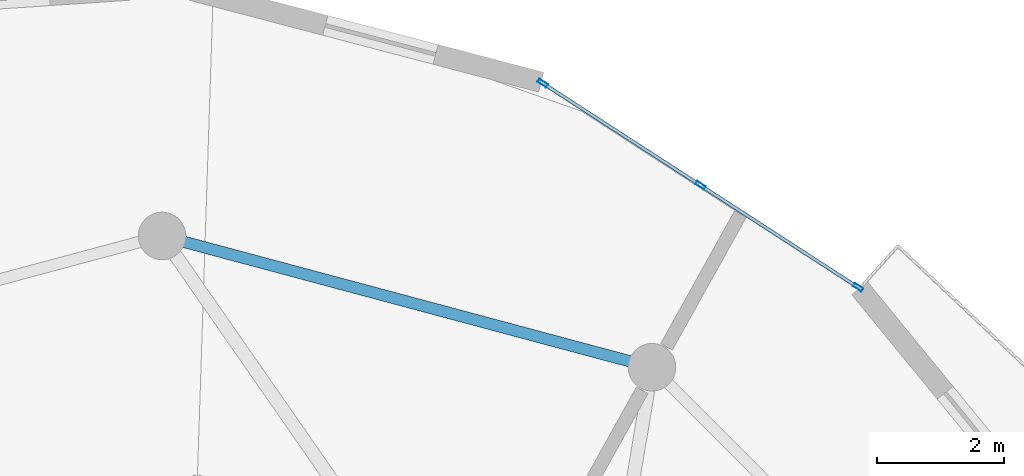
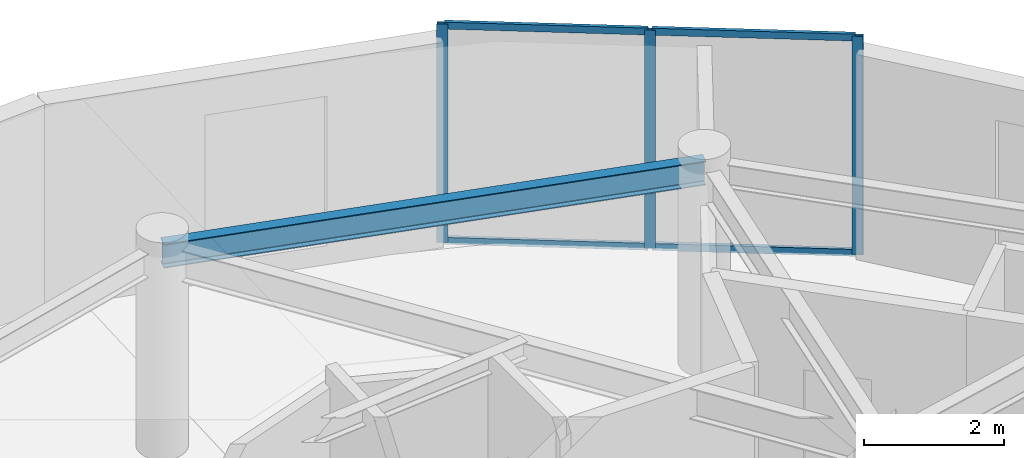
# One storey, part 15 of 22: 7 members, 1 beam, 1 element without a shape of its own.
"""IFC4 building model written with IfcOpenShell, lengths in metres."""

from ifc_helpers import new_model, si_unit, direction, frame, origin, origin_2d, place, context, subcontext, project, spatial, hollow_rectangle, i_section, extrude, source, transform, mapped, material, layer, layer_set, material_profile, profile_set, type_object, element, aggregate, save


model = new_model("IFC4")

# Units and contexts
model_context = context("Model", 3, precision=1e-05, world=origin(), true_north=direction((0.0, 1.0)))
body_context = subcontext(model_context, "Body", "Model", "MODEL_VIEW")
ifc_project = project(units=[si_unit("LENGTHUNIT", "METRE"), si_unit("AREAUNIT", "SQUARE_METRE"), si_unit("VOLUMEUNIT", "CUBIC_METRE"), si_unit("PLANEANGLEUNIT", "RADIAN"), si_unit("MASSUNIT", "GRAM", prefix="KILO")], contexts=[model_context])

# Site, building, storey
site_placement = place(None, origin())
site = spatial("IfcSite", under=ifc_project, at=site_placement, CompositionType="ELEMENT")
building_placement = place(site_placement, origin())
building = spatial("IfcBuilding", under=site, at=building_placement, Name="Solvirekh Grand Hotel", CompositionType="ELEMENT")
storey_placement = place(building_placement, frame((0.0, 0.0, 239.199951171875)))
storey = spatial("IfcBuildingStorey", under=building, at=storey_placement, Name="L62", CompositionType="ELEMENT", Elevation=239.199951171875)

# Beam
ifc_material_1 = material(Name="Steel S355", Category="steel")
ifc_material_profile_1 = material_profile(ifc_material_1, i_section(OverallWidth=0.180908203125, OverallDepth=0.4169921875, WebThickness=0.010009765625, FlangeThickness=0.01611328125, FilletRadius=0.011962890625, at=origin_2d()), Name="W410X85")
ifc_profile_set_1 = profile_set([ifc_material_profile_1], Name="Steel S355")
beam_type = type_object("IfcBeamType", Name="Spandrel_Ring_W410", PredefinedType="SPANDREL", material=ifc_profile_set_1)
beam_placement = place(storey_placement, frame((7.72509765625, 13.3798828125, 3.362060546875), z_axis=(-0.965921616143, 0.258834757072, 0.0), x_axis=(-0.258834757072, -0.965921616143, 0.0)))
element("IfcBeam", 1, at=beam_placement, inside=storey, type_object=beam_type, Name="L62 perimeter spandrel beam 3", PredefinedType="SPANDREL", context=body_context, shape_type="SweptSolid", body=[
    extrude(i_section(OverallWidth=0.180908203125, OverallDepth=0.4169921875, WebThickness=0.010009765625, FlangeThickness=0.01611328125, FilletRadius=0.011962890625, at=origin_2d()), origin(), (0.0, 0.0, 1.0), 7.99755859375),
])

# Curtain wall, members
ifc_material_2 = material(Name="Anodized Bronze Aluminium 6063-T6", Category="aluminium")
ifc_layer = layer(ifc_material_2, 0.159912109375)
ifc_layer_set = layer_set([ifc_layer], Name="Anodized Bronze Aluminium 6063-T6")
curtain_wall_type = type_object("IfcCurtainWallType", Name="CW_Sys4_HighZoneFlushBronzeCW", PredefinedType="NOTDEFINED", material=ifc_layer_set)
curtain_wall_placement = place(storey_placement, origin())
curtain_wall = element("IfcCurtainWall", 2, at=curtain_wall_placement, inside=storey, type_object=curtain_wall_type, Name="L62 unitised bronze-glass curtain wall CW-L62-C08", PredefinedType="NOTDEFINED")
ifc_material_profile_2 = material_profile(ifc_material_2, hollow_rectangle(XDim=0.06005859375, YDim=0.159912109375, WallThickness=0.0048828125, at=origin_2d()), Name="ALU RHS 160X60X5")
ifc_profile_set_2 = profile_set([ifc_material_profile_2], Name="Anodized Bronze Aluminium 6063-T6")
member_type_1 = type_object("IfcMemberType", Name="CWMullion_Sys4", PredefinedType="MULLION", material=ifc_profile_set_2)
shared_shape_1 = source(origin(), body_context, "Body", "SweptSolid", [
    extrude(hollow_rectangle(XDim=0.06005859375, YDim=0.159912109375, WallThickness=0.0048828125, at=origin_2d()), origin(), (0.0, 0.0, 1.0), 3.800048828125),
])
member_1_placement = place(storey_placement, frame((10.975830078125, 14.639404296875, 0.0), z_axis=(0.0, 0.0, 1.0), x_axis=(-0.543507576279, -0.839404261681, 0.0)))
member_1 = element("IfcMember", 3, at=member_1_placement, type_object=member_type_1, Name="U04 mullion 1", PredefinedType="MULLION", context=body_context, shape_type="MappedRepresentation", body=[
    mapped(shared_shape_1, transform((0.0, 0.0, 0.0), x_axis=(1.0, 0.0, 0.0), y_axis=(0.0, 1.0, 0.0), z_axis=(0.0, 0.0, 1.0), scale=1.0)),
])
member_2_placement = place(storey_placement, frame((8.489013671875, 16.24951171875, 0.0), z_axis=(0.0, 0.0, 1.0), x_axis=(-0.543507576279, -0.839404261681, 0.0)))
member_2 = element("IfcMember", 4, at=member_2_placement, type_object=member_type_1, Name="U04 mullion 2", PredefinedType="MULLION", context=body_context, shape_type="MappedRepresentation", body=[
    mapped(shared_shape_1, transform((0.0, 0.0, 0.0), x_axis=(1.0, 0.0, 0.0), y_axis=(0.0, 1.0, 0.0), z_axis=(0.0, 0.0, 1.0), scale=1.0)),
])
member_3_placement = place(storey_placement, frame((6.002197265625, 17.859619140625, 0.0), z_axis=(0.0, 0.0, 1.0), x_axis=(-0.543507576279, -0.839404261681, 0.0)))
member_3 = element("IfcMember", 5, at=member_3_placement, type_object=member_type_1, Name="U04 mullion 3", PredefinedType="MULLION", context=body_context, shape_type="MappedRepresentation", body=[
    mapped(shared_shape_1, transform((0.0, 0.0, 0.0), x_axis=(1.0, 0.0, 0.0), y_axis=(0.0, 1.0, 0.0), z_axis=(0.0, 0.0, 1.0), scale=1.0)),
])
ifc_material_profile_3 = material_profile(ifc_material_2, hollow_rectangle(XDim=0.054931640625, YDim=0.1201171875, WallThickness=0.00390625, at=origin_2d()), Name="ALU RHS 120X55X4")
ifc_profile_set_3 = profile_set([ifc_material_profile_3], Name="Anodized Bronze Aluminium 6063-T6")
member_type_2 = type_object("IfcMemberType", Name="CWTransom_Sys4", PredefinedType="USERDEFINED", material=ifc_profile_set_3)
shared_shape_2 = source(origin(), body_context, "Body", "SweptSolid", [
    extrude(hollow_rectangle(XDim=0.054931640625, YDim=0.1201171875, WallThickness=0.00390625, at=origin_2d()), origin(), (0.0, 0.0, 1.0), 2.902587890625),
])
member_4_placement = place(storey_placement, frame((10.95068359375, 14.655517578125, 0.027587890625), z_axis=(-0.839403131285, 0.543509322081, 0.0), x_axis=(-0.543509322081, -0.839403131285, 0.0)))
member_4 = element("IfcMember", 6, at=member_4_placement, type_object=member_type_2, Name="U04 transom 1.1", ObjectType="TRANSOM", PredefinedType="USERDEFINED", context=body_context, shape_type="MappedRepresentation", body=[
    mapped(shared_shape_2, transform((0.0, 0.0, 0.0), x_axis=(1.0, 0.0, 0.0), y_axis=(0.0, 1.0, 0.0), z_axis=(0.0, 0.0, 1.0), scale=1.0)),
])
member_5_placement = place(storey_placement, frame((10.95068359375, 14.655517578125, 3.7724609375), z_axis=(-0.839403131285, 0.543509322081, 0.0), x_axis=(-0.543509322081, -0.839403131285, 0.0)))
member_5 = element("IfcMember", 7, at=member_5_placement, type_object=member_type_2, Name="U04 transom 1.2", ObjectType="TRANSOM", PredefinedType="USERDEFINED", context=body_context, shape_type="MappedRepresentation", body=[
    mapped(shared_shape_2, transform((0.0, 0.0, 0.0), x_axis=(1.0, 0.0, 0.0), y_axis=(0.0, 1.0, 0.0), z_axis=(0.0, 0.0, 1.0), scale=1.0)),
])
member_6_placement = place(storey_placement, frame((8.4638671875, 16.265869140625, 0.027587890625), z_axis=(-0.839403131285, 0.543509322081, 0.0), x_axis=(-0.543509322081, -0.839403131285, 0.0)))
member_6 = element("IfcMember", 8, at=member_6_placement, type_object=member_type_2, Name="U04 transom 2.1", ObjectType="TRANSOM", PredefinedType="USERDEFINED", context=body_context, shape_type="MappedRepresentation", body=[
    mapped(shared_shape_2, transform((0.0, 0.0, 0.0), x_axis=(1.0, 0.0, 0.0), y_axis=(0.0, 1.0, 0.0), z_axis=(0.0, 0.0, 1.0), scale=1.0)),
])
member_7_placement = place(storey_placement, frame((8.4638671875, 16.265869140625, 3.7724609375), z_axis=(-0.839403131285, 0.543509322081, 0.0), x_axis=(-0.543509322081, -0.839403131285, 0.0)))
member_7 = element("IfcMember", 9, at=member_7_placement, type_object=member_type_2, Name="U04 transom 2.2", ObjectType="TRANSOM", PredefinedType="USERDEFINED", context=body_context, shape_type="MappedRepresentation", body=[
    mapped(shared_shape_2, transform((0.0, 0.0, 0.0), x_axis=(1.0, 0.0, 0.0), y_axis=(0.0, 1.0, 0.0), z_axis=(0.0, 0.0, 1.0), scale=1.0)),
])
aggregate(curtain_wall, [member_1, member_2, member_3, member_4, member_5, member_6, member_7])

save(model, "model.ifc")
